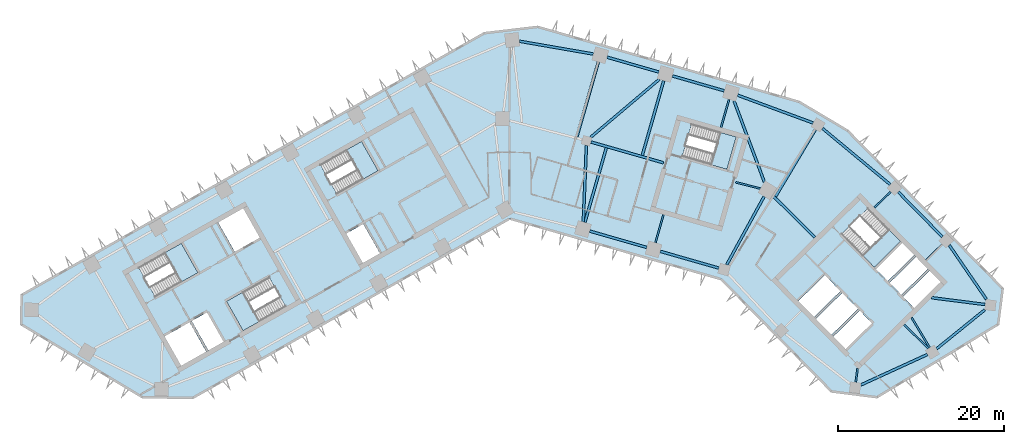
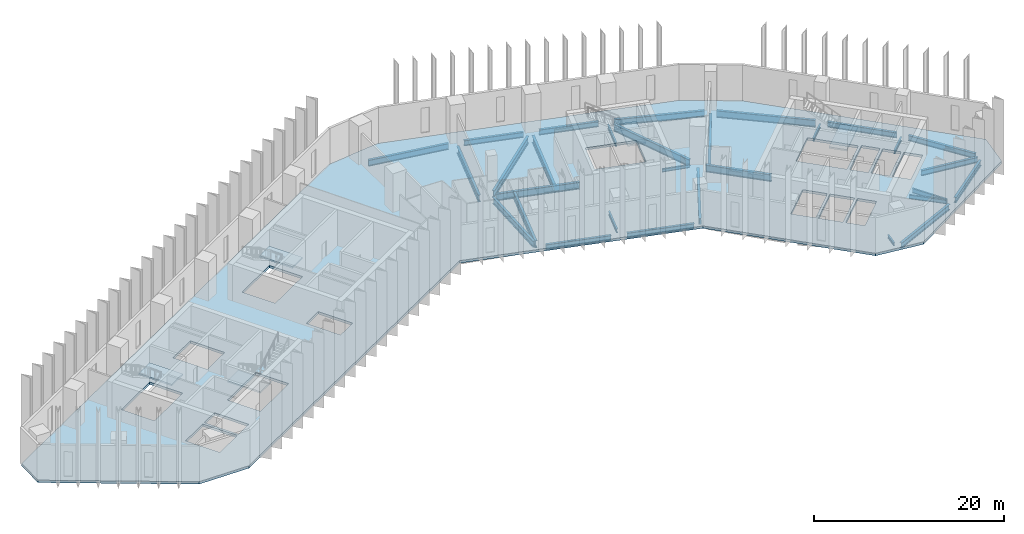
# One storey, part 2 of 11: 30 beams, 6 slabs, 5 elements without a shape of their own.
"""IFC4 building model written with IfcOpenShell, lengths in metres."""

from ifc_helpers import new_model, si_unit, direction, frame, origin, origin_2d, place, context, subcontext, project, spatial, polyline, i_section, outline, extrude, material, layer, layer_set, material_profile, profile_set, type_object, element, aggregate, save


model = new_model("IFC4")

# Units and contexts
model_context = context("Model", 3, precision=1e-05, world=origin(), true_north=direction((0.0, 1.0)))
body_context = subcontext(model_context, "Body", "Model", "MODEL_VIEW")
ifc_project = project(units=[si_unit("LENGTHUNIT", "METRE"), si_unit("AREAUNIT", "SQUARE_METRE"), si_unit("VOLUMEUNIT", "CUBIC_METRE"), si_unit("PLANEANGLEUNIT", "RADIAN"), si_unit("MASSUNIT", "GRAM", prefix="KILO")], contexts=[model_context])

# Site, building, storey
site_placement = place(None, origin())
site = spatial("IfcSite", under=ifc_project, at=site_placement, CompositionType="ELEMENT")
building_placement = place(site_placement, origin())
building = spatial("IfcBuilding", under=site, at=building_placement, Name="Binnacle Exchange Tower", CompositionType="ELEMENT")
storey_placement = place(building_placement, frame((0.0, 0.0, 46.5)))
storey = spatial("IfcBuildingStorey", under=building, at=storey_placement, Name="L09", CompositionType="ELEMENT", Elevation=46.5)

# Beams
ifc_material_1 = material(Name="Steel S355 (SHN355)", Category="steel")
ifc_material_profile_1 = material_profile(ifc_material_1, i_section(OverallWidth=0.300048828125, OverallDepth=0.699951171875, WebThickness=0.012939453125, FlangeThickness=0.02392578125, FilletRadius=0.028076171875, at=origin_2d()), Name="H 700x300x13x24")
ifc_profile_set_1 = profile_set([ifc_material_profile_1], Name="Steel S355 (SHN355)")
beam_type_1 = type_object("IfcBeamType", Name="Edge girder H 700x300x13x24 Steel S355 (SHN355)", PredefinedType="SPANDREL", material=ifc_profile_set_1)
beam_1_placement = place(storey_placement, frame((9.626708984375, 46.488037109375, -0.669921875), z_axis=(0.961260850036, -0.275640305812, 0.0), x_axis=(0.275640305812, 0.961260850036, 0.0)))
element("IfcBeam", 1, at=beam_1_placement, inside=storey, type_object=beam_type_1, Name="S:BM:edge:L09:030", PredefinedType="SPANDREL", context=body_context, shape_type="SweptSolid", body=[
    extrude(i_section(OverallWidth=0.300048828125, OverallDepth=0.699951171875, WebThickness=0.012939453125, FlangeThickness=0.02392578125, FilletRadius=0.028076171875, at=origin_2d()), origin(), (0.0, 0.0, 1.0), 7.120361328125),
])
beam_2_placement = place(storey_placement, frame((17.92919921875, 65.610595703125, -0.669921875), z_axis=(-0.961261624999, 0.275637603213, 0.0), x_axis=(-0.275637603213, -0.961261624999, 0.0)))
element("IfcBeam", 2, at=beam_2_placement, inside=storey, type_object=beam_type_1, Name="S:BM:edge:L09:032", PredefinedType="SPANDREL", context=body_context, shape_type="SweptSolid", body=[
    extrude(i_section(OverallWidth=0.300048828125, OverallDepth=0.699951171875, WebThickness=0.012939453125, FlangeThickness=0.02392578125, FilletRadius=0.028076171875, at=origin_2d()), origin(), (0.0, 0.0, 1.0), 6.472900390625),
])
beam_3_placement = place(storey_placement, frame((18.105224609375, 44.056884765625, -0.669921875), z_axis=(0.96126047873, -0.275641600691, 0.0), x_axis=(0.275641600691, 0.96126047873, 0.0)))
element("IfcBeam", 3, at=beam_3_placement, inside=storey, type_object=beam_type_1, Name="S:BM:edge:L09:033", PredefinedType="SPANDREL", context=body_context, shape_type="SweptSolid", body=[
    extrude(i_section(OverallWidth=0.300048828125, OverallDepth=0.699951171875, WebThickness=0.012939453125, FlangeThickness=0.02392578125, FilletRadius=0.028076171875, at=origin_2d()), origin(), (0.0, 0.0, 1.0), 7.320556640625),
])
beam_4_placement = place(storey_placement, frame((25.78564453125, 63.35791015625, -0.669921875), z_axis=(-0.961271618025, 0.275602751036, 0.0), x_axis=(-0.275602751036, -0.961271618025, 0.0)))
element("IfcBeam", 4, at=beam_4_placement, inside=storey, type_object=beam_type_1, Name="S:BM:edge:L09:034", PredefinedType="SPANDREL", context=body_context, shape_type="SweptSolid", body=[
    extrude(i_section(OverallWidth=0.300048828125, OverallDepth=0.699951171875, WebThickness=0.012939453125, FlangeThickness=0.02392578125, FilletRadius=0.028076171875, at=origin_2d()), origin(), (0.0, 0.0, 1.0), 6.472900390625),
])
beam_5_placement = place(storey_placement, frame((51.322265625, 32.343505859375, -0.669921875), z_axis=(0.777568489665, 0.628798253719, 0.0), x_axis=(-0.628798253719, 0.777568489665, 0.0)))
element("IfcBeam", 5, at=beam_5_placement, inside=storey, type_object=beam_type_1, Name="S:BM:edge:L09:040", PredefinedType="SPANDREL", context=body_context, shape_type="SweptSolid", body=[
    extrude(i_section(OverallWidth=0.300048828125, OverallDepth=0.699951171875, WebThickness=0.012939453125, FlangeThickness=0.02392578125, FilletRadius=0.028076171875, at=origin_2d()), origin(), (0.0, 0.0, 1.0), 7.428955078125),
])
beam_6_placement = place(storey_placement, frame((52.010986328125, 45.802978515625, -0.669921875), z_axis=(-0.700905226564, 0.713254417004, 0.0), x_axis=(-0.713254417004, -0.700905226564, 0.0)))
element("IfcBeam", 6, at=beam_6_placement, inside=storey, type_object=beam_type_1, Name="S:BM:edge:L09:041", PredefinedType="SPANDREL", context=body_context, shape_type="SweptSolid", body=[
    extrude(i_section(OverallWidth=0.300048828125, OverallDepth=0.699951171875, WebThickness=0.012939453125, FlangeThickness=0.02392578125, FilletRadius=0.028076171875, at=origin_2d()), origin(), (0.0, 0.0, 1.0), 7.57177734375),
])
beam_7_placement = place(storey_placement, frame((57.305419921875, 38.299072265625, -0.669921875), z_axis=(-0.566409202341, 0.82412415054, 0.0), x_axis=(-0.82412415054, -0.566409202341, 0.0)))
element("IfcBeam", 7, at=beam_7_placement, inside=storey, type_object=beam_type_1, Name="S:BM:edge:L09:042", PredefinedType="SPANDREL", context=body_context, shape_type="SweptSolid", body=[
    extrude(i_section(OverallWidth=0.300048828125, OverallDepth=0.699951171875, WebThickness=0.012939453125, FlangeThickness=0.02392578125, FilletRadius=0.028076171875, at=origin_2d()), origin(), (0.0, 0.0, 1.0), 7.8828125),
])
ifc_material_profile_2 = material_profile(ifc_material_1, i_section(OverallWidth=0.302001953125, OverallDepth=0.7080078125, WebThickness=0.014892578125, FlangeThickness=0.028076171875, FilletRadius=0.028076171875, at=origin_2d()), Name="H 708x302x15x28")
ifc_profile_set_2 = profile_set([ifc_material_profile_2], Name="Steel S355 (SHN355)")
beam_type_2 = type_object("IfcBeamType", Name="Edge girder H 708x302x15x28 Steel S355 (SHN355)", PredefinedType="SPANDREL", material=ifc_profile_set_2)
beam_8_placement = place(storey_placement, frame((42.215576171875, 27.99365234375, -0.674072265625), z_axis=(0.909179052108, 0.416405392866, 0.0), x_axis=(-0.416405392866, 0.909179052108, 0.0)))
element("IfcBeam", 8, at=beam_8_placement, inside=storey, type_object=beam_type_2, Name="S:BM:edge:L09:038", PredefinedType="SPANDREL", context=body_context, shape_type="SweptSolid", body=[
    extrude(i_section(OverallWidth=0.302001953125, OverallDepth=0.7080078125, WebThickness=0.014892578125, FlangeThickness=0.028076171875, FilletRadius=0.028076171875, at=origin_2d()), origin(), (0.0, 0.0, 1.0), 8.801025390625),
])
ifc_material_profile_3 = material_profile(ifc_material_1, i_section(OverallWidth=0.300048828125, OverallDepth=0.800048828125, WebThickness=0.013916015625, FlangeThickness=0.02587890625, FilletRadius=0.028076171875, at=origin_2d()), Name="H 800x300x14x26")
ifc_profile_set_3 = profile_set([ifc_material_profile_3], Name="Steel S355 (SHN355)")
beam_type_3 = type_object("IfcBeamType", Name="Edge girder H 800x300x14x26 Steel S355 (SHN355)", PredefinedType="SPANDREL", material=ifc_profile_set_3)
beam_9_placement = place(storey_placement, frame((10.047607421875, 67.77490234375, -0.719970703125), z_axis=(-0.985312460293, 0.17076110679, 0.0), x_axis=(-0.17076110679, -0.985312460293, 0.0)))
element("IfcBeam", 9, at=beam_9_placement, inside=storey, type_object=beam_type_3, Name="S:BM:edge:L09:031", PredefinedType="SPANDREL", context=body_context, shape_type="SweptSolid", body=[
    extrude(i_section(OverallWidth=0.300048828125, OverallDepth=0.800048828125, WebThickness=0.013916015625, FlangeThickness=0.02587890625, FilletRadius=0.028076171875, at=origin_2d()), origin(), (0.0, 0.0, 1.0), 9.005859375),
])
ifc_material_profile_4 = material_profile(ifc_material_1, i_section(OverallWidth=0.302001953125, OverallDepth=0.80810546875, WebThickness=0.01611328125, FlangeThickness=0.030029296875, FilletRadius=0.028076171875, at=origin_2d()), Name="H 808x302x16x30")
ifc_profile_set_4 = profile_set([ifc_material_profile_4], Name="Steel S355 (SHN355)")
beam_type_4 = type_object("IfcBeamType", Name="Edge girder H 808x302x16x30 Steel S355 (SHN355)", PredefinedType="SPANDREL", material=ifc_profile_set_4)
beam_10_placement = place(storey_placement, frame((36.464599609375, 59.490966796875, -0.72412109375), z_axis=(-0.938368148393, 0.345637408395, 0.0), x_axis=(-0.345637408395, -0.938368148393, 0.0)))
element("IfcBeam", 10, at=beam_10_placement, inside=storey, type_object=beam_type_4, Name="S:BM:edge:L09:037", PredefinedType="SPANDREL", context=body_context, shape_type="SweptSolid", body=[
    extrude(i_section(OverallWidth=0.302001953125, OverallDepth=0.80810546875, WebThickness=0.01611328125, FlangeThickness=0.030029296875, FilletRadius=0.028076171875, at=origin_2d()), origin(), (0.0, 0.0, 1.0), 9.6572265625),
])
ifc_material_profile_5 = material_profile(ifc_material_1, i_section(OverallWidth=0.300048828125, OverallDepth=0.89990234375, WebThickness=0.01611328125, FlangeThickness=0.028076171875, FilletRadius=0.028076171875, at=origin_2d()), Name="H 900x300x16x28")
ifc_profile_set_5 = profile_set([ifc_material_profile_5], Name="Steel S355 (SHN355)")
beam_type_5 = type_object("IfcBeamType", Name="Edge girder H 900x300x16x28 Steel S355 (SHN355)", PredefinedType="SPANDREL", material=ifc_profile_set_5)
beam_11_placement = place(storey_placement, frame((45.7451171875, 52.084228515625, -0.77001953125), z_axis=(-0.769906025895, 0.638157277864, 0.0), x_axis=(-0.638157277864, -0.769906025895, 0.0)))
element("IfcBeam", 11, at=beam_11_placement, inside=storey, type_object=beam_type_5, Name="S:BM:edge:L09:039", PredefinedType="SPANDREL", context=body_context, shape_type="SweptSolid", body=[
    extrude(i_section(OverallWidth=0.300048828125, OverallDepth=0.89990234375, WebThickness=0.01611328125, FlangeThickness=0.028076171875, FilletRadius=0.028076171875, at=origin_2d()), origin(), (0.0, 0.0, 1.0), 10.59033203125),
])
ifc_material_profile_6 = material_profile(ifc_material_1, i_section(OverallWidth=0.199951171875, OverallDepth=0.39990234375, WebThickness=0.008056640625, FlangeThickness=0.012939453125, FilletRadius=0.01611328125, at=origin_2d()), Name="H 400x200x8x13")
ifc_profile_set_6 = profile_set([ifc_material_profile_6], Name="Steel S355 (SHN355)")
beam_type_6 = type_object("IfcBeamType", Name="Floor beam H 400x200x8x13 Steel S355 (SHN355)", PredefinedType="BEAM", material=ifc_profile_set_6)
beam_12_placement = place(storey_placement, frame((41.601806640625, 28.319580078125, -0.52001953125), z_axis=(0.126197116971, 0.992005185303, 0.0), x_axis=(-0.992005185303, 0.126197116971, 0.0)))
element("IfcBeam", 12, at=beam_12_placement, inside=storey, type_object=beam_type_6, Name="S:BM:cross:L09:063", PredefinedType="BEAM", context=body_context, shape_type="SweptSolid", body=[
    extrude(i_section(OverallWidth=0.199951171875, OverallDepth=0.39990234375, WebThickness=0.008056640625, FlangeThickness=0.012939453125, FilletRadius=0.01611328125, at=origin_2d()), origin(), (0.0, 0.0, 1.0), 1.68115234375),
])
ifc_material_profile_7 = material_profile(ifc_material_1, i_section(OverallWidth=0.199951171875, OverallDepth=0.449951171875, WebThickness=0.009033203125, FlangeThickness=0.013916015625, FilletRadius=0.01806640625, at=origin_2d()), Name="H 450x200x9x14")
ifc_profile_set_7 = profile_set([ifc_material_profile_7], Name="Steel S355 (SHN355)")
beam_type_7 = type_object("IfcBeamType", Name="Floor beam H 450x200x9x14 Steel S355 (SHN355)", PredefinedType="BEAM", material=ifc_profile_set_7)
for number, where, z_axis, x_axis, name in (
    (13, (45.78466796875, 51.211669921875, -0.544921875), (-0.713299272232, -0.700859578113, 0.0), (0.700859578113, -0.713299272232, 0.0), "S:BM:cross:L09:064"),
    (14, (52.003173828125, 44.8837890625, -0.544921875), (-0.713254209224, -0.700905438004, 0.0), (0.700905438004, -0.713254209224, 0.0), "S:BM:cross:L09:066"),
):
    element("IfcBeam", number, at=place(storey_placement, frame(where, z_axis=z_axis, x_axis=x_axis)), inside=storey, type_object=beam_type_7, Name=name, PredefinedType="BEAM", context=body_context, shape_type="SweptSolid", body=[
        extrude(i_section(OverallWidth=0.199951171875, OverallDepth=0.449951171875, WebThickness=0.009033203125, FlangeThickness=0.013916015625, FilletRadius=0.01806640625, at=origin_2d()), origin(), (0.0, 0.0, 1.0), 2.70849609375),
    ])
ifc_material_profile_8 = material_profile(ifc_material_1, i_section(OverallWidth=0.200927734375, OverallDepth=0.506103515625, WebThickness=0.010986328125, FlangeThickness=0.01904296875, FilletRadius=0.02001953125, at=origin_2d()), Name="H 506x201x11x19")
ifc_profile_set_8 = profile_set([ifc_material_profile_8], Name="Steel S355 (SHN355)")
beam_type_8 = type_object("IfcBeamType", Name="Floor beam H 506x201x11x19 Steel S355 (SHN355)", PredefinedType="BEAM", material=ifc_profile_set_8)
for number, where, z_axis, x_axis, name in (
    (15, (17.5224609375, 45.108154296875, -0.572998046875), (0.275655468279, 0.961256502089, 0.0), (-0.961256502089, 0.275655468279, 0.0), "S:BM:cross:L09:058"),
    (16, (26.368408203125, 62.306396484375, -0.572998046875), (-0.275655468279, -0.961256502089, 0.0), (0.961256502089, -0.275655468279, 0.0), "S:BM:cross:L09:060"),
):
    element("IfcBeam", number, at=place(storey_placement, frame(where, z_axis=z_axis, x_axis=x_axis)), inside=storey, type_object=beam_type_8, Name=name, PredefinedType="BEAM", context=body_context, shape_type="SweptSolid", body=[
        extrude(i_section(OverallWidth=0.200927734375, OverallDepth=0.506103515625, WebThickness=0.010986328125, FlangeThickness=0.01904296875, FilletRadius=0.02001953125, at=origin_2d()), origin(), (0.0, 0.0, 1.0), 3.485107421875),
    ])
ifc_material_profile_9 = material_profile(ifc_material_1, i_section(OverallWidth=0.199951171875, OverallDepth=0.60009765625, WebThickness=0.010986328125, FlangeThickness=0.01708984375, FilletRadius=0.02197265625, at=origin_2d()), Name="H 600x200x11x17")
ifc_profile_set_9 = profile_set([ifc_material_profile_9], Name="Steel S355 (SHN355)")
beam_type_9 = type_object("IfcBeamType", Name="Floor beam H 600x200x11x17 Steel S355 (SHN355)", PredefinedType="BEAM", material=ifc_profile_set_9)
beam_13_placement = place(storey_placement, frame((50.477294921875, 32.488037109375, -0.6201171875), z_axis=(-0.515057466438, 0.857155648798, 0.0), x_axis=(-0.857155648798, -0.515057466438, 0.0)))
element("IfcBeam", 17, at=beam_13_placement, inside=storey, type_object=beam_type_9, Name="S:BM:cross:L09:065", PredefinedType="BEAM", context=body_context, shape_type="SweptSolid", body=[
    extrude(i_section(OverallWidth=0.199951171875, OverallDepth=0.60009765625, WebThickness=0.010986328125, FlangeThickness=0.01708984375, FilletRadius=0.02197265625, at=origin_2d()), origin(), (0.0, 0.0, 1.0), 4.2177734375),
])
ifc_material_profile_10 = material_profile(ifc_material_1, i_section(OverallWidth=0.300048828125, OverallDepth=0.699951171875, WebThickness=0.012939453125, FlangeThickness=0.02392578125, FilletRadius=0.028076171875, at=origin_2d()), Name="H 700x300x13x24")
ifc_profile_set_10 = profile_set([ifc_material_profile_10], Name="Steel S355 (SHN355)")
beam_type_10 = type_object("IfcBeamType", Name="Floor beam H 700x300x13x24 Steel S355 (SHN355)", PredefinedType="BEAM", material=ifc_profile_set_10)
beam_14_placement = place(storey_placement, frame((57.154296875, 37.6630859375, -0.669921875), z_axis=(-0.992006658356, 0.126185537116, 0.0), x_axis=(-0.126185537116, -0.992006658356, 0.0)))
element("IfcBeam", 18, at=beam_14_placement, inside=storey, type_object=beam_type_10, Name="S:BM:cross:L09:067", PredefinedType="BEAM", context=body_context, shape_type="SweptSolid", body=[
    extrude(i_section(OverallWidth=0.300048828125, OverallDepth=0.699951171875, WebThickness=0.012939453125, FlangeThickness=0.02392578125, FilletRadius=0.028076171875, at=origin_2d()), origin(), (0.0, 0.0, 1.0), 6.4814453125),
])
ifc_material_profile_11 = material_profile(ifc_material_1, i_section(OverallWidth=0.302978515625, OverallDepth=0.91796875, WebThickness=0.01904296875, FlangeThickness=0.037109375, FilletRadius=0.028076171875, at=origin_2d()), Name="H 918x303x19x37")
ifc_profile_set_11 = profile_set([ifc_material_profile_11], Name="Steel S355 (SHN355)")
beam_type_11 = type_object("IfcBeamType", Name="Floor beam H 918x303x19x37 Steel S355 (SHN355)", PredefinedType="BEAM", material=ifc_profile_set_11)
beam_15_placement = place(storey_placement, frame((9.043701171875, 47.539306640625, -0.779052734375), z_axis=(0.275646698205, 0.961259017003, 0.0), x_axis=(-0.961259017003, 0.275646698205, 0.0)))
element("IfcBeam", 19, at=beam_15_placement, inside=storey, type_object=beam_type_11, Name="S:BM:cross:L09:056", PredefinedType="BEAM", context=body_context, shape_type="SweptSolid", body=[
    extrude(i_section(OverallWidth=0.302978515625, OverallDepth=0.91796875, WebThickness=0.01904296875, FlangeThickness=0.037109375, FilletRadius=0.028076171875, at=origin_2d()), origin(), (0.0, 0.0, 1.0), 9.335205078125),
])
beam_16_placement = place(storey_placement, frame((10.65576171875, 66.81201171875, -0.779052734375), z_axis=(-0.275626703457, -0.961264750389, 0.0), x_axis=(0.961264750389, -0.275626703457, 0.0)))
element("IfcBeam", 20, at=beam_16_placement, inside=storey, type_object=beam_type_11, Name="S:BM:cross:L09:057", PredefinedType="BEAM", context=body_context, shape_type="SweptSolid", body=[
    extrude(i_section(OverallWidth=0.302978515625, OverallDepth=0.91796875, WebThickness=0.01904296875, FlangeThickness=0.037109375, FilletRadius=0.028076171875, at=origin_2d()), origin(), (0.0, 0.0, 1.0), 9.363525390625),
])
beam_17_placement = place(storey_placement, frame((18.511962890625, 64.55908203125, -0.779052734375), z_axis=(-0.275629461812, -0.961263959473, 0.0), x_axis=(0.961263959473, -0.275629461812, 0.0)))
element("IfcBeam", 21, at=beam_17_placement, inside=storey, type_object=beam_type_11, Name="S:BM:cross:L09:059", PredefinedType="BEAM", context=body_context, shape_type="SweptSolid", body=[
    extrude(i_section(OverallWidth=0.302978515625, OverallDepth=0.91796875, WebThickness=0.01904296875, FlangeThickness=0.037109375, FilletRadius=0.028076171875, at=origin_2d()), origin(), (0.0, 0.0, 1.0), 9.3349609375),
])
beam_18_placement = place(storey_placement, frame((36.752685546875, 58.703857421875, -0.779052734375), z_axis=(-0.511298188751, -0.859403375709, 0.0), x_axis=(0.859403375709, -0.511298188751, 0.0)))
element("IfcBeam", 22, at=beam_18_placement, inside=storey, type_object=beam_type_11, Name="S:BM:cross:L09:062", PredefinedType="BEAM", context=body_context, shape_type="SweptSolid", body=[
    extrude(i_section(OverallWidth=0.302978515625, OverallDepth=0.91796875, WebThickness=0.01904296875, FlangeThickness=0.037109375, FilletRadius=0.028076171875, at=origin_2d()), origin(), (0.0, 0.0, 1.0), 9.385986328125),
])
ifc_material_profile_12 = material_profile(ifc_material_1, i_section(OverallWidth=0.199951171875, OverallDepth=0.39990234375, WebThickness=0.008056640625, FlangeThickness=0.012939453125, FilletRadius=0.01611328125, at=origin_2d()), Name="H 400x200x8x13")
ifc_profile_set_12 = profile_set([ifc_material_profile_12], Name="Steel S355 (SHN355)")
beam_type_12 = type_object("IfcBeamType", Name="Spine girder H 400x200x8x13 Steel S355 (SHN355)", PredefinedType="BEAM", material=ifc_profile_set_12)
beam_19_placement = place(storey_placement, frame((27.17138671875, 52.35400390625, -0.52001953125), z_axis=(0.969359627701, -0.245645908136, 0.0), x_axis=(0.245645908136, 0.969359627701, 0.0)))
element("IfcBeam", 23, at=beam_19_placement, inside=storey, type_object=beam_type_12, Name="S:BM:spine:L09:010", PredefinedType="BEAM", context=body_context, shape_type="SweptSolid", body=[
    extrude(i_section(OverallWidth=0.199951171875, OverallDepth=0.39990234375, WebThickness=0.008056640625, FlangeThickness=0.012939453125, FilletRadius=0.01611328125, at=origin_2d()), origin(), (0.0, 0.0, 1.0), 3.046142578125),
])
ifc_material_profile_13 = material_profile(ifc_material_1, i_section(OverallWidth=0.200927734375, OverallDepth=0.506103515625, WebThickness=0.010986328125, FlangeThickness=0.01904296875, FilletRadius=0.02001953125, at=origin_2d()), Name="H 506x201x11x19")
ifc_profile_set_13 = profile_set([ifc_material_profile_13], Name="Steel S355 (SHN355)")
beam_type_13 = type_object("IfcBeamType", Name="Spine girder H 506x201x11x19 Steel S355 (SHN355)", PredefinedType="BEAM", material=ifc_profile_set_13)
beam_20_placement = place(storey_placement, frame((47.417236328125, 35.23095703125, -0.572998046875), z_axis=(0.717013275689, -0.697059511437, 0.0), x_axis=(0.697059511437, 0.717013275689, 0.0)))
element("IfcBeam", 24, at=beam_20_placement, inside=storey, type_object=beam_type_13, Name="S:BM:spine:L09:014", PredefinedType="BEAM", context=body_context, shape_type="SweptSolid", body=[
    extrude(i_section(OverallWidth=0.200927734375, OverallDepth=0.506103515625, WebThickness=0.010986328125, FlangeThickness=0.01904296875, FilletRadius=0.02001953125, at=origin_2d()), origin(), (0.0, 0.0, 1.0), 4.06201171875),
])
ifc_material_profile_14 = material_profile(ifc_material_1, i_section(OverallWidth=0.302001953125, OverallDepth=0.80810546875, WebThickness=0.01611328125, FlangeThickness=0.030029296875, FilletRadius=0.028076171875, at=origin_2d()), Name="H 808x302x16x30")
ifc_profile_set_14 = profile_set([ifc_material_profile_14], Name="Steel S355 (SHN355)")
beam_type_14 = type_object("IfcBeamType", Name="Spine girder H 808x302x16x30 Steel S355 (SHN355)", PredefinedType="BEAM", material=ifc_profile_set_14)
beam_21_placement = place(storey_placement, frame((9.218017578125, 56.78466796875, -0.72412109375), z_axis=(-0.040567083206, -0.999176817065, 0.0), x_axis=(0.999176817065, -0.040567083206, 0.0)))
element("IfcBeam", 25, at=beam_21_placement, inside=storey, type_object=beam_type_14, Name="S:BM:spine:L09:007", PredefinedType="BEAM", context=body_context, shape_type="SweptSolid", body=[
    extrude(i_section(OverallWidth=0.302001953125, OverallDepth=0.80810546875, WebThickness=0.01611328125, FlangeThickness=0.030029296875, FilletRadius=0.028076171875, at=origin_2d()), origin(), (0.0, 0.0, 1.0), 9.19580078125),
])
beam_22_placement = place(storey_placement, frame((30.580078125, 50.6396484375, -0.72412109375), z_axis=(-0.480716000085, -0.87687634662, 0.0), x_axis=(0.87687634662, -0.480716000085, 0.0)))
element("IfcBeam", 26, at=beam_22_placement, inside=storey, type_object=beam_type_14, Name="S:BM:spine:L09:011", PredefinedType="BEAM", context=body_context, shape_type="SweptSolid", body=[
    extrude(i_section(OverallWidth=0.302001953125, OverallDepth=0.80810546875, WebThickness=0.01611328125, FlangeThickness=0.030029296875, FilletRadius=0.028076171875, at=origin_2d()), origin(), (0.0, 0.0, 1.0), 9.34619140625),
])
ifc_material_profile_15 = material_profile(ifc_material_1, i_section(OverallWidth=0.302001953125, OverallDepth=0.912109375, WebThickness=0.01806640625, FlangeThickness=0.033935546875, FilletRadius=0.028076171875, at=origin_2d()), Name="H 912x302x18x34")
ifc_profile_set_15 = profile_set([ifc_material_profile_15], Name="Steel S355 (SHN355)")
beam_type_15 = type_object("IfcBeamType", Name="Spine girder H 912x302x18x34 Steel S355 (SHN355)", PredefinedType="BEAM", material=ifc_profile_set_15)
beam_23_placement = place(storey_placement, frame((9.74658203125, 57.77734375, -0.77587890625), z_axis=(0.764072930463, 0.64512987602, 0.0), x_axis=(-0.64512987602, 0.764072930463, 0.0)))
element("IfcBeam", 27, at=beam_23_placement, inside=storey, type_object=beam_type_15, Name="S:BM:spine:L09:008", PredefinedType="BEAM", context=body_context, shape_type="SweptSolid", body=[
    extrude(i_section(OverallWidth=0.302001953125, OverallDepth=0.912109375, WebThickness=0.01806640625, FlangeThickness=0.033935546875, FilletRadius=0.028076171875, at=origin_2d()), origin(), (0.0, 0.0, 1.0), 10.755615234375),
])
beam_24_placement = place(storey_placement, frame((30.614501953125, 52.389892578125, -0.77587890625), z_axis=(-0.350104624168, 0.936710602126, 0.0), x_axis=(-0.936710602126, -0.350104624168, 0.0)))
element("IfcBeam", 28, at=beam_24_placement, inside=storey, type_object=beam_type_15, Name="S:BM:spine:L09:012", PredefinedType="BEAM", context=body_context, shape_type="SweptSolid", body=[
    extrude(i_section(OverallWidth=0.302001953125, OverallDepth=0.912109375, WebThickness=0.01806640625, FlangeThickness=0.033935546875, FilletRadius=0.028076171875, at=origin_2d()), origin(), (0.0, 0.0, 1.0), 10.4013671875),
])
ifc_material_profile_16 = material_profile(ifc_material_1, i_section(OverallWidth=0.302978515625, OverallDepth=0.91796875, WebThickness=0.01904296875, FlangeThickness=0.037109375, FilletRadius=0.028076171875, at=origin_2d()), Name="H 918x303x19x37")
ifc_profile_set_16 = profile_set([ifc_material_profile_16], Name="Steel S355 (SHN355)")
beam_type_16 = type_object("IfcBeamType", Name="Spine girder H 918x303x19x37 Steel S355 (SHN355)", PredefinedType="BEAM", material=ifc_profile_set_16)
beam_25_placement = place(storey_placement, frame((9.76953125, 57.198486328125, -0.779052734375), z_axis=(0.961265329417, -0.275624684057, 0.0), x_axis=(0.275624684057, 0.961265329417, 0.0)))
element("IfcBeam", 29, at=beam_25_placement, inside=storey, type_object=beam_type_16, Name="S:BM:spine:L09:009", PredefinedType="BEAM", context=body_context, shape_type="SweptSolid", body=[
    extrude(i_section(OverallWidth=0.302978515625, OverallDepth=0.91796875, WebThickness=0.01904296875, FlangeThickness=0.037109375, FilletRadius=0.028076171875, at=origin_2d()), origin(), (0.0, 0.0, 1.0), 9.063232421875),
])
beam_26_placement = place(storey_placement, frame((31.60888671875, 50.773681640625, -0.779052734375), z_axis=(0.711013452478, -0.703178405809, 0.0), x_axis=(0.703178405809, 0.711013452478, 0.0)))
element("IfcBeam", 30, at=beam_26_placement, inside=storey, type_object=beam_type_16, Name="S:BM:spine:L09:013", PredefinedType="BEAM", context=body_context, shape_type="SweptSolid", body=[
    extrude(i_section(OverallWidth=0.302978515625, OverallDepth=0.91796875, WebThickness=0.01904296875, FlangeThickness=0.037109375, FilletRadius=0.028076171875, at=origin_2d()), origin(), (0.0, 0.0, 1.0), 7.166748046875),
])

# Slab
ifc_material_2 = material(Name="Concrete C35/45", Category="concrete")
ifc_layer_1 = layer(ifc_material_2, 0.320068359375)
ifc_layer_set_1 = layer_set([ifc_layer_1], Name="Floor slab 320 Concrete C35/45")
slab_type_1 = type_object("IfcSlabType", Name="Floor slab 320 Concrete C35/45", PredefinedType="FLOOR", material=ifc_layer_set_1)
slab_1_placement = place(storey_placement, frame((0.0, 0.0, -0.320068359375)))
element("IfcSlab", 31, at=slab_1_placement, inside=storey, type_object=slab_type_1, Name="S:SL:L09:01", PredefinedType="FLOOR", context=body_context, shape_type="SweptSolid", body=[
    extrude(outline(polyline([(59.262939453125, 39.5791015625), (58.716064453125, 35.280029296875), (44.14404296875, 26.5244140625), (38.69091796875, 27.21826171875), (25.43603515625, 40.706298828125), (0.0, 48.0), (-38.097900390625, 26.4453125), (-44.14404296875, 26.5244140625), (-58.716064453125, 35.280029296875), (-58.669921875, 38.80615234375), (-3.046142578125, 70.276611328125), (3.364501953125, 71.035400390625), (34.789794921875, 62.024169921875), (40.607421875, 58.56298828125), (59.262939453125, 39.5791015625)]), holes=[polyline([(-38.4794921875, 35.529296875), (-41.61279296875, 33.756591796875), (-39.544677734375, 30.10107421875), (-36.411376953125, 31.873779296875), (-38.4794921875, 35.529296875)]), polyline([(-34.322509765625, 33.0556640625), (-36.390625, 36.711181640625), (-38.21826171875, 35.677001953125), (-36.150146484375, 32.021484375), (-34.322509765625, 33.0556640625)]), polyline([(-34.040771484375, 38.04052734375), (-32.04638671875, 34.515625), (-26.9287109375, 37.4111328125), (-28.923095703125, 40.93603515625), (-34.040771484375, 38.04052734375)]), polyline([(-37.486572265625, 41.4912109375), (-39.480712890625, 45.01611328125), (-44.598388671875, 42.12060546875), (-42.604248046875, 38.595703125), (-37.486572265625, 41.4912109375)]), polyline([(-15.53076171875, 43.6875), (-17.598876953125, 47.343017578125), (-19.77490234375, 46.11181640625), (-17.70654296875, 42.456298828125), (-15.53076171875, 43.6875)]), polyline([(-29.914306640625, 45.775390625), (-31.982666015625, 49.430908203125), (-35.115966796875, 47.657958984375), (-33.047607421875, 44.00244140625), (-29.914306640625, 45.775390625)]), polyline([(-15.822509765625, 53.748046875), (-17.81689453125, 57.27294921875), (-22.760498046875, 54.47607421875), (-20.76611328125, 50.950927734375), (-15.822509765625, 53.748046875)]), polyline([(26.111328125, 53.9169921875), (27.227783203125, 57.810302734375), (21.864013671875, 59.348388671875), (20.74755859375, 55.455078125), (26.111328125, 53.9169921875)]), polyline([(40.268798828125, 32.201904296875), (43.549560546875, 35.426025390625), (42.07763671875, 36.923828125), (38.796875, 33.69970703125), (40.268798828125, 32.201904296875)]), polyline([(38.58642578125, 33.913818359375), (41.867431640625, 37.137939453125), (39.97509765625, 39.063720703125), (36.694091796875, 35.83935546875), (38.58642578125, 33.913818359375)]), polyline([(36.48388671875, 36.053466796875), (39.7646484375, 39.277587890625), (37.872314453125, 41.203369140625), (34.59130859375, 37.979248046875), (36.48388671875, 36.053466796875)]), polyline([(48.726806640625, 37.148681640625), (52.0078125, 40.372802734375), (50.577880859375, 41.827880859375), (47.296875, 38.603759765625), (48.726806640625, 37.148681640625)]), polyline([(47.086669921875, 38.817626953125), (50.36767578125, 42.0419921875), (48.944580078125, 43.48974609375), (45.663818359375, 40.265625), (47.086669921875, 38.817626953125)]), polyline([(45.45361328125, 40.4794921875), (48.734375, 43.703857421875), (47.3115234375, 45.151611328125), (44.030517578125, 41.927490234375), (45.45361328125, 40.4794921875)]), polyline([(43.8203125, 42.141357421875), (46.994384765625, 45.260498046875), (43.083251953125, 49.240478515625), (39.9091796875, 46.121337890625), (43.8203125, 42.141357421875)])]), origin(), (0.0, 0.0, 1.0), 0.320068359375),
])

# Stair, slab
stair_type = type_object("IfcStairType", Name="STAIR 28 RISERS 179", PredefinedType="HALF_TURN_STAIR", material=ifc_material_2)
stair_1_placement = place(storey_placement, origin())
stair_1 = element("IfcStair", 32, at=stair_1_placement, inside=storey, type_object=stair_type, Name="L09 Escape stair A1", PredefinedType="HALF_TURN_STAIR")
ifc_layer_2 = layer(ifc_material_2, 0.199951171875)
ifc_layer_set_2 = layer_set([ifc_layer_2], Name="STAIR LANDING 200")
slab_type_2 = type_object("IfcSlabType", Name="STAIR LANDING 200", PredefinedType="LANDING", material=ifc_layer_set_2)
slab_2_placement = place(storey_placement, frame((0.0, 0.0, 2.300048828125)))
slab_2 = element("IfcSlab", 33, at=slab_2_placement, type_object=slab_type_2, Name="STA1 landing 1", PredefinedType="LANDING", context=body_context, shape_type="SweptSolid", body=[
    extrude(outline(polyline([(-39.470947265625, 40.368408203125), (-37.486572265625, 41.4912109375), (-39.48095703125, 45.01611328125), (-41.46533203125, 43.893310546875), (-39.470947265625, 40.368408203125)])), origin(), (0.0, 0.0, 1.0), 0.199951171875),
])
aggregate(stair_1, [slab_2])

stair_2_placement = place(storey_placement, origin())
stair_2 = element("IfcStair", 34, at=stair_2_placement, inside=storey, type_object=stair_type, Name="L09 Escape stair A2", PredefinedType="HALF_TURN_STAIR")
slab_3_placement = place(storey_placement, frame((0.0, 0.0, 2.300048828125)))
slab_3 = element("IfcSlab", 35, at=slab_3_placement, type_object=slab_type_2, Name="STA2 landing 1", PredefinedType="LANDING", context=body_context, shape_type="SweptSolid", body=[
    extrude(outline(polyline([(-32.05615234375, 39.163330078125), (-34.040771484375, 38.04052734375), (-32.04638671875, 34.515625), (-30.06201171875, 35.638427734375), (-32.05615234375, 39.163330078125)])), origin(), (0.0, 0.0, 1.0), 0.199951171875),
])
aggregate(stair_2, [slab_3])

stair_3_placement = place(storey_placement, origin())
stair_3 = element("IfcStair", 36, at=stair_3_placement, inside=storey, type_object=stair_type, Name="L09 Escape stair B1", PredefinedType="HALF_TURN_STAIR")
slab_4_placement = place(storey_placement, frame((0.0, 0.0, 2.300048828125)))
slab_4 = element("IfcSlab", 37, at=slab_4_placement, type_object=slab_type_2, Name="STB1 landing 1", PredefinedType="LANDING", context=body_context, shape_type="SweptSolid", body=[
    extrude(outline(polyline([(42.4326171875, 43.5537109375), (43.8203125, 42.141357421875), (46.994384765625, 45.260498046875), (45.606689453125, 46.672607421875), (42.4326171875, 43.5537109375)])), origin(), (0.0, 0.0, 1.0), 0.199951171875),
])
aggregate(stair_3, [slab_4])

stair_4_placement = place(storey_placement, origin())
stair_4 = element("IfcStair", 38, at=stair_4_placement, inside=storey, type_object=stair_type, Name="L09 Escape stair C1", PredefinedType="HALF_TURN_STAIR")
slab_5_placement = place(storey_placement, frame((0.0, 0.0, 2.300048828125)))
slab_5 = element("IfcSlab", 39, at=slab_5_placement, type_object=slab_type_2, Name="STC1 landing 1", PredefinedType="LANDING", context=body_context, shape_type="SweptSolid", body=[
    extrude(outline(polyline([(-17.6328125, 52.7236328125), (-15.822509765625, 53.748046875), (-17.81689453125, 57.27294921875), (-19.627197265625, 56.248779296875), (-17.6328125, 52.7236328125)])), origin(), (0.0, 0.0, 1.0), 0.199951171875),
])
aggregate(stair_4, [slab_5])

stair_5_placement = place(storey_placement, origin())
stair_5 = element("IfcStair", 40, at=stair_5_placement, inside=storey, type_object=stair_type, Name="L09 Escape stair D1", PredefinedType="HALF_TURN_STAIR")
slab_6_placement = place(storey_placement, frame((0.0, 0.0, 2.300048828125)))
slab_6 = element("IfcSlab", 41, at=slab_6_placement, type_object=slab_type_2, Name="STD1 landing 1", PredefinedType="LANDING", context=body_context, shape_type="SweptSolid", body=[
    extrude(outline(polyline([(24.2080078125, 54.462890625), (26.111328125, 53.917236328125), (27.227783203125, 57.810302734375), (25.324462890625, 58.35595703125), (24.2080078125, 54.462890625)])), origin(), (0.0, 0.0, 1.0), 0.199951171875),
])
aggregate(stair_5, [slab_6])

save(model, "model.ifc")
